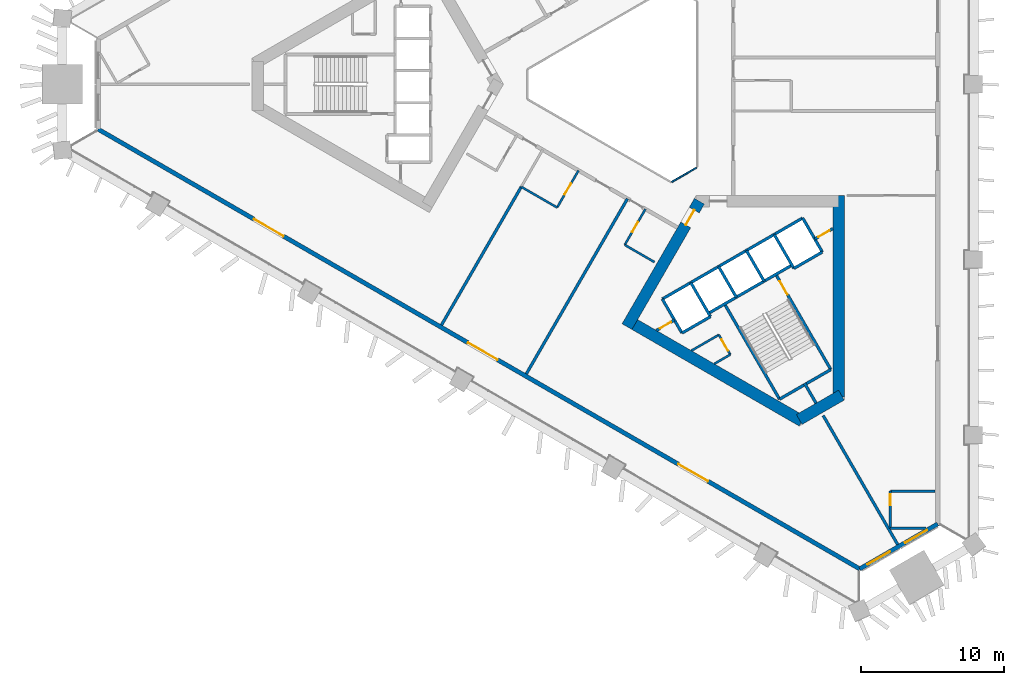
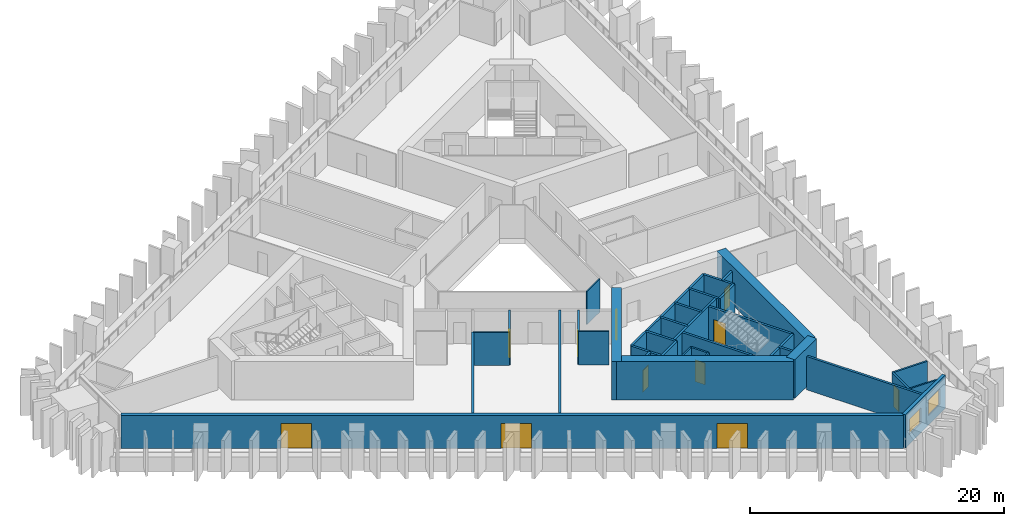
# One storey, part 2 of 10: 36 walls, 11 doors, 2 windows, 13 openings.
"""IFC4 building model written with IfcOpenShell, lengths in metres."""

from ifc_helpers import new_model, si_unit, direction, frame, frame_2d, origin, place, context, subcontext, project, spatial, rectangle, extrude, material, layer, layer_set, type_object, element, fill, save


model = new_model("IFC4")

# Units and contexts
model_context = context("Model", 3, precision=1e-05, world=origin(), true_north=direction((0.0, 1.0)))
body_context = subcontext(model_context, "Body", "Model", "MODEL_VIEW")
ifc_project = project(units=[si_unit("LENGTHUNIT", "METRE"), si_unit("AREAUNIT", "SQUARE_METRE"), si_unit("VOLUMEUNIT", "CUBIC_METRE"), si_unit("PLANEANGLEUNIT", "RADIAN"), si_unit("MASSUNIT", "GRAM", prefix="KILO")], contexts=[model_context])

# Site, building, storey
site_placement = place(None, origin())
site = spatial("IfcSite", under=ifc_project, at=site_placement, CompositionType="ELEMENT")
building_placement = place(site_placement, origin())
building = spatial("IfcBuilding", under=site, at=building_placement, Name="Jabali Bay Hotel Tower and Convention Centre", CompositionType="ELEMENT")
storey_placement = place(building_placement, frame((0.0, 0.0, 33.699951171875)))
storey = spatial("IfcBuildingStorey", under=building, at=storey_placement, Name="L06", CompositionType="ELEMENT", Elevation=33.699951171875)

# Walls
ifc_material_1 = material(Name="Fire-resistant glazing", Category="glass")
ifc_layer_1 = layer(ifc_material_1, 0.10009765625)
ifc_layer_set_1 = layer_set([ifc_layer_1], Name="Fire-resistant glazing")
wall_type_1 = type_object("IfcWallType", Name="Atrium glazed screen 100", PredefinedType="PARTITIONING", material=ifc_layer_set_1)
wall_1_placement = place(storey_placement, frame((77.7978515625, 73.15380859375, 0.0), z_axis=(0.0, 0.0, 1.0), x_axis=(0.866041268327, 0.499972520799, 0.0)))
element("IfcWall", 1, at=wall_1_placement, inside=storey, type_object=wall_type_1, Name="Atrium screen 6 L06", PredefinedType="PARTITIONING", context=body_context, shape_type="SweptSolid", body=[
    extrude(rectangle(XDim=2.0, YDim=0.10009765625, at=frame_2d((1.0, 0.0))), origin(), (0.0, 0.0, 1.0), 3.199951171875),
])
ifc_material_2 = material(Name="Concrete C40", Category="concrete")
ifc_layer_2 = layer(ifc_material_2, 0.199951171875)
ifc_layer_set_2 = layer_set([ifc_layer_2], Name="Concrete C40")
wall_type_2 = type_object("IfcWallType", Name="Core partition wall 200", PredefinedType="PARTITIONING", material=ifc_layer_set_2)
wall_2_placement = place(storey_placement, frame((87.090087890625, 59.0595703125, 0.0), z_axis=(0.0, 0.0, 1.0), x_axis=(0.499956811548, -0.866050337213, 0.0)))
element("IfcWall", 2, at=wall_2_placement, inside=storey, type_object=wall_type_2, Name="Core wall 2.5 L06", PredefinedType="PARTITIONING", context=body_context, shape_type="SweptSolid", body=[
    extrude(rectangle(XDim=1.623291015625, YDim=0.199951171875, at=frame_2d((0.8115234375, 0.0))), origin(), (0.0, 0.0, 1.0), 3.199951171875),
])

# Wall, opening, door
wall_3_placement = place(storey_placement, frame((76.719970703125, 62.748779296875, 0.0), z_axis=(0.0, 0.0, 1.0), x_axis=(0.866054810376, 0.49994906283, 0.0)))
wall_3 = element("IfcWall", 3, at=wall_3_placement, inside=storey, type_object=wall_type_2, Name="Core wall 2.11 L06", PredefinedType="PARTITIONING", context=body_context, shape_type="SweptSolid", body=[
    extrude(rectangle(XDim=1.461181640625, YDim=0.199951171875, at=frame_2d((0.73046875, 0.0))), origin(), (0.0, 0.0, 1.0), 3.199951171875),
])
opening_1_placement = place(wall_3_placement, frame((0.280517578125, 0.0, 0.0)))
opening_1 = element("IfcOpeningElement", 4, at=opening_1_placement, cuts=wall_3, Name="Opening D231", PredefinedType="OPENING", context=body_context, shape_type="SweptSolid", body=[
    extrude(rectangle(XDim=0.89990234375, YDim=2.10009765625, at=frame_2d((0.449951171875, 1.050048828125))), frame((0.0, 0.1103515625, 0.0), z_axis=(0.0, -1.0, 0.0), x_axis=(1.0, 0.0, 0.0)), (0.0, 0.0, 1.0), 0.220947265625),
])
ifc_material_3 = material(Name="Fire-rated steel door", Category="steel")
door_type_1 = type_object("IfcDoorType", Name="Vestibule fire door 900 x 2100", OperationType="NOTDEFINED", PredefinedType="NOTDEFINED", material=ifc_material_3)
door_1_placement = place(opening_1_placement, origin())
door_1 = element("IfcDoor", 5, at=door_1_placement, inside=storey, type_object=door_type_1, Name="Vestibule fire door D231", OperationType="SINGLE_SWING_LEFT", OverallHeight=2.10009765625, OverallWidth=0.89990234375, PredefinedType="NOTDEFINED", context=body_context, shape_type="SweptSolid", body=[
    extrude(rectangle(XDim=0.89990234375, YDim=2.10009765625, at=frame_2d((0.449951171875, 1.050048828125))), frame((0.0, 0.02490234375, 0.0), z_axis=(0.0, -1.0, 0.0), x_axis=(1.0, 0.0, 0.0)), (0.0, 0.0, 1.0), 0.050048828125),
])
fill(opening_1, door_1)

wall_4_placement = place(storey_placement, frame((87.814697265625, 69.154296875, 0.0), z_axis=(0.0, 0.0, 1.0), x_axis=(0.866054810376, 0.49994906283, 0.0)))
wall_4 = element("IfcWall", 6, at=wall_4_placement, inside=storey, type_object=wall_type_2, Name="Core wall 2.12 L06", PredefinedType="PARTITIONING", context=body_context, shape_type="SweptSolid", body=[
    extrude(rectangle(XDim=1.461181640625, YDim=0.199951171875, at=frame_2d((0.73046875, 0.0))), origin(), (0.0, 0.0, 1.0), 3.199951171875),
])
opening_2_placement = place(wall_4_placement, frame((0.280517578125, 0.0, 0.0)))
opening_2 = element("IfcOpeningElement", 7, at=opening_2_placement, cuts=wall_4, Name="Opening D230", PredefinedType="OPENING", context=body_context, shape_type="SweptSolid", body=[
    extrude(rectangle(XDim=0.89990234375, YDim=2.10009765625, at=frame_2d((0.449951171875, 1.050048828125))), frame((0.0, 0.1103515625, 0.0), z_axis=(0.0, -1.0, 0.0), x_axis=(1.0, 0.0, 0.0)), (0.0, 0.0, 1.0), 0.220947265625),
])
door_2_placement = place(opening_2_placement, origin())
door_2 = element("IfcDoor", 8, at=door_2_placement, inside=storey, type_object=door_type_1, Name="Vestibule fire door D230", OperationType="SINGLE_SWING_LEFT", OverallHeight=2.10009765625, OverallWidth=0.89990234375, PredefinedType="NOTDEFINED", context=body_context, shape_type="SweptSolid", body=[
    extrude(rectangle(XDim=0.89990234375, YDim=2.10009765625, at=frame_2d((0.449951171875, 1.050048828125))), frame((0.0, 0.02490234375, 0.0), z_axis=(0.0, -1.0, 0.0), x_axis=(1.0, 0.0, 0.0)), (0.0, 0.0, 1.0), 0.050048828125),
])
fill(opening_2, door_2)

ifc_material_4 = material(Name="Fire-rated board partition")
ifc_layer_3 = layer(ifc_material_4, 0.14990234375)
ifc_layer_set_3 = layer_set([ifc_layer_3], Name="Fire-rated board partition")
wall_type_3 = type_object("IfcWallType", Name="Core room partition 150", PredefinedType="PARTITIONING", material=ifc_layer_set_3)
wall_5_placement = place(storey_placement, frame((81.093994140625, 62.445068359375, 0.0), z_axis=(0.0, 0.0, 1.0), x_axis=(0.499880961361, -0.866094119867, 0.0)))
wall_5 = element("IfcWall", 9, at=wall_5_placement, inside=storey, type_object=wall_type_3, Name="Core wall 2.1 L06", PredefinedType="PARTITIONING", context=body_context, shape_type="SweptSolid", body=[
    extrude(rectangle(XDim=1.60009765625, YDim=0.14990234375, at=frame_2d((0.800048828125, 0.0))), origin(), (0.0, 0.0, 1.0), 3.199951171875),
])
opening_3_placement = place(wall_5_placement, frame((0.387451171875, 0.0, 0.0)))
opening_3 = element("IfcOpeningElement", 10, at=opening_3_placement, cuts=wall_5, Name="Opening D233", PredefinedType="OPENING", context=body_context, shape_type="SweptSolid", body=[
    extrude(rectangle(XDim=0.89990234375, YDim=2.10009765625, at=frame_2d((0.449951171875, 1.050048828125))), frame((0.0, 0.08544921875, 0.0), z_axis=(0.0, -1.0, 0.0), x_axis=(1.0, 0.0, 0.0)), (0.0, 0.0, 1.0), 0.1708984375),
])
door_type_2 = type_object("IfcDoorType", Name="Core room door 900 x 2100", OperationType="NOTDEFINED", PredefinedType="NOTDEFINED", material=ifc_material_3)
door_3_placement = place(opening_3_placement, origin())
door_3 = element("IfcDoor", 11, at=door_3_placement, inside=storey, type_object=door_type_2, Name="Core room door D233", OperationType="SINGLE_SWING_LEFT", OverallHeight=2.10009765625, OverallWidth=0.89990234375, PredefinedType="NOTDEFINED", context=body_context, shape_type="SweptSolid", body=[
    extrude(rectangle(XDim=0.89990234375, YDim=2.10009765625, at=frame_2d((0.449951171875, 1.050048828125))), frame((0.0, 0.02490234375, 0.0), z_axis=(0.0, -1.0, 0.0), x_axis=(1.0, 0.0, 0.0)), (0.0, 0.0, 1.0), 0.050048828125),
])
fill(opening_3, door_3)

# Walls
wall_6_placement = place(storey_placement, frame((79.169921875, 61.334228515625, 0.0), z_axis=(0.0, 0.0, 1.0), x_axis=(0.866030041738, 0.499991966744, 0.0)))
element("IfcWall", 12, at=wall_6_placement, inside=storey, type_object=wall_type_3, Name="Core wall 2.16 L06", PredefinedType="PARTITIONING", context=body_context, shape_type="SweptSolid", body=[
    extrude(rectangle(XDim=2.2216796875, YDim=0.14990234375, at=frame_2d((1.11083984375, 0.0))), origin(), (0.0, 0.0, 1.0), 3.199951171875),
])
wall_7_placement = place(storey_placement, frame((80.77001953125, 60.410400390625, 0.0), z_axis=(0.0, 0.0, 1.0), x_axis=(0.865988195383, 0.500064441305, 0.0)))
element("IfcWall", 13, at=wall_7_placement, inside=storey, type_object=wall_type_3, Name="Core wall 2.17 L06", PredefinedType="PARTITIONING", context=body_context, shape_type="SweptSolid", body=[
    extrude(rectangle(XDim=1.297607421875, YDim=0.14990234375, at=frame_2d((0.64892578125, 0.0))), origin(), (0.0, 0.0, 1.0), 3.199951171875),
])
ifc_layer_4 = layer(ifc_material_2, 0.199951171875)
ifc_layer_set_4 = layer_set([ifc_layer_4], Name="Concrete C40")
wall_type_4 = type_object("IfcWallType", Name="Core stair wall 200", PredefinedType="SOLIDWALL", material=ifc_layer_set_4)
for number, where, z_axis, x_axis, name in (
    (14, (77.13525390625, 64.95166015625, 0.0), (0.0, 0.0, 1.0), (0.499996545922, -0.866027397988, 0.0), "Core wall 2.0 L06"),
    (15, (79.127197265625, 66.1015625, 0.0), (0.0, 0.0, 1.0), (0.499996545922, -0.866027397988, 0.0), "Core wall 2.2 L06"),
):
    element("IfcWall", number, at=place(storey_placement, frame(where, z_axis=z_axis, x_axis=x_axis)), inside=storey, type_object=wall_type_4, Name=name, PredefinedType="SOLIDWALL", context=body_context, shape_type="SweptSolid", body=[
        extrude(rectangle(XDim=2.75, YDim=0.199951171875, at=frame_2d((1.375, 0.0))), origin(), (0.0, 0.0, 1.0), 3.199951171875),
    ])
wall_8_placement = place(storey_placement, frame((81.492919921875, 64.603759765625, 0.0), z_axis=(0.0, 0.0, 1.0), x_axis=(0.500006057782, -0.866021906294, 0.0)))
element("IfcWall", 16, at=wall_8_placement, inside=storey, type_object=wall_type_4, Name="Core wall 2.3 L06", PredefinedType="SOLIDWALL", context=body_context, shape_type="SweptSolid", body=[
    extrude(rectangle(XDim=7.7001953125, YDim=0.199951171875, at=frame_2d((3.85009765625, 0.0))), origin(), (0.0, 0.0, 1.0), 3.199951171875),
])
for number, where, z_axis, x_axis, name in (
    (17, (81.07568359375, 67.2265625, 0.0), (0.0, 0.0, 1.0), (0.50000366821, -0.866023285932, 0.0), "Core wall 2.4 L06"),
    (18, (83.024169921875, 68.3515625, 0.0), (0.0, 0.0, 1.0), (0.50000366821, -0.866023285932, 0.0), "Core wall 2.6 L06"),
):
    element("IfcWall", number, at=place(storey_placement, frame(where, z_axis=z_axis, x_axis=x_axis)), inside=storey, type_object=wall_type_4, Name=name, PredefinedType="SOLIDWALL", context=body_context, shape_type="SweptSolid", body=[
        extrude(rectangle(XDim=2.47998046875, YDim=0.199951171875, at=frame_2d((1.239990234375, 0.0))), origin(), (0.0, 0.0, 1.0), 3.199951171875),
    ])

# Wall, opening, door
wall_9_placement = place(storey_placement, frame((85.0869140625, 66.6787109375, 0.0), z_axis=(0.0, 0.0, 1.0), x_axis=(0.500019787375, -0.866013979237, 0.0)))
wall_9 = element("IfcWall", 19, at=wall_9_placement, inside=storey, type_object=wall_type_4, Name="Core wall 2.7 L06", PredefinedType="SOLIDWALL", context=body_context, shape_type="SweptSolid", body=[
    extrude(rectangle(XDim=7.699951171875, YDim=0.199951171875, at=frame_2d((3.85009765625, 0.0))), origin(), (0.0, 0.0, 1.0), 3.199951171875),
])
opening_4_placement = place(wall_9_placement, frame((0.550048828125, 0.0, 0.0)))
opening_4 = element("IfcOpeningElement", 20, at=opening_4_placement, cuts=wall_9, Name="Opening D232", PredefinedType="OPENING", context=body_context, shape_type="SweptSolid", body=[
    extrude(rectangle(XDim=1.10009765625, YDim=2.10009765625, at=frame_2d((0.550048828125, 1.050048828125))), frame((0.0, 0.1103515625, 0.0), z_axis=(0.0, -1.0, 0.0), x_axis=(1.0, 0.0, 0.0)), (0.0, 0.0, 1.0), 0.220947265625),
])
door_type_3 = type_object("IfcDoorType", Name="Stair fire door 1100 x 2100", OperationType="NOTDEFINED", PredefinedType="NOTDEFINED", material=ifc_material_3)
door_4_placement = place(opening_4_placement, origin())
door_4 = element("IfcDoor", 21, at=door_4_placement, inside=storey, type_object=door_type_3, Name="Stair fire door D232", OperationType="SINGLE_SWING_RIGHT", OverallHeight=2.10009765625, OverallWidth=1.10009765625, PredefinedType="NOTDEFINED", context=body_context, shape_type="SweptSolid", body=[
    extrude(rectangle(XDim=1.10009765625, YDim=2.10009765625, at=frame_2d((0.550048828125, 1.050048828125))), frame((0.0, 0.02490234375, 0.0), z_axis=(0.0, -1.0, 0.0), x_axis=(1.0, 0.0, 0.0)), (0.0, 0.0, 1.0), 0.050048828125),
])
fill(opening_4, door_4)

# Walls
for number, where, z_axis, x_axis, name in (
    (22, (84.972900390625, 69.4765625, 0.0), (0.0, 0.0, 1.0), (0.499996545922, -0.866027397988, 0.0), "Core wall 2.8 L06"),
    (23, (86.964599609375, 70.62646484375, 0.0), (0.0, 0.0, 1.0), (0.499996545922, -0.866027397988, 0.0), "Core wall 2.9 L06"),
):
    element("IfcWall", number, at=place(storey_placement, frame(where, z_axis=z_axis, x_axis=x_axis)), inside=storey, type_object=wall_type_4, Name=name, PredefinedType="SOLIDWALL", context=body_context, shape_type="SweptSolid", body=[
        extrude(rectangle(XDim=2.75, YDim=0.199951171875, at=frame_2d((1.375, 0.0))), origin(), (0.0, 0.0, 1.0), 3.199951171875),
    ])
wall_10_placement = place(storey_placement, frame((77.13525390625, 64.95166015625, 0.0), z_axis=(0.0, 0.0, 1.0), x_axis=(0.866031916153, 0.499988720078, 0.0)))
element("IfcWall", 24, at=wall_10_placement, inside=storey, type_object=wall_type_4, Name="Core wall 2.10 L06", PredefinedType="SOLIDWALL", context=body_context, shape_type="SweptSolid", body=[
    extrude(rectangle(XDim=11.349853515625, YDim=0.199951171875, at=frame_2d((5.6748046875, 0.0))), origin(), (0.0, 0.0, 1.0), 3.199951171875),
])
wall_11_placement = place(storey_placement, frame((80.3671875, 63.953857421875, 0.0), z_axis=(0.0, 0.0, 1.0), x_axis=(0.866026575979, 0.499997969693, 0.0)))
element("IfcWall", 25, at=wall_11_placement, inside=storey, type_object=wall_type_4, Name="Core wall 2.13 L06", PredefinedType="SOLIDWALL", context=body_context, shape_type="SweptSolid", body=[
    extrude(rectangle(XDim=6.75, YDim=0.199951171875, at=frame_2d((3.375, 0.0))), origin(), (0.0, 0.0, 1.0), 3.199951171875),
])
wall_12_placement = place(storey_placement, frame((78.51025390625, 62.570068359375, 0.0), z_axis=(0.0, 0.0, 1.0), x_axis=(0.866053019151, 0.499952165731, 0.0)))
element("IfcWall", 26, at=wall_12_placement, inside=storey, type_object=wall_type_4, Name="Core wall 2.14 L06", PredefinedType="SOLIDWALL", context=body_context, shape_type="SweptSolid", body=[
    extrude(rectangle(XDim=2.300048828125, YDim=0.199951171875, at=frame_2d((1.14990234375, 0.0))), origin(), (0.0, 0.0, 1.0), 3.199951171875),
])
wall_13_placement = place(storey_placement, frame((86.347900390625, 67.094970703125, 0.0), z_axis=(0.0, 0.0, 1.0), x_axis=(0.86602648383, 0.499998129301, 0.0)))
element("IfcWall", 27, at=wall_13_placement, inside=storey, type_object=wall_type_4, Name="Core wall 2.15 L06", PredefinedType="SOLIDWALL", context=body_context, shape_type="SweptSolid", body=[
    extrude(rectangle(XDim=2.2998046875, YDim=0.199951171875, at=frame_2d((1.14990234375, 0.0))), origin(), (0.0, 0.0, 1.0), 3.199951171875),
])
wall_14_placement = place(storey_placement, frame((85.343017578125, 57.935302734375, 0.0), z_axis=(0.0, 0.0, 1.0), x_axis=(0.866004344652, 0.500036473714, 0.0)))
element("IfcWall", 28, at=wall_14_placement, inside=storey, type_object=wall_type_4, Name="Core wall 2.18 L06", PredefinedType="SOLIDWALL", context=body_context, shape_type="SweptSolid", body=[
    extrude(rectangle(XDim=4.150146484375, YDim=0.199951171875, at=frame_2d((2.0751953125, 0.0))), origin(), (0.0, 0.0, 1.0), 3.199951171875),
])

# Wall, opening, door
ifc_material_5 = material(Name="Concrete C60", Category="concrete")
ifc_layer_5 = layer(ifc_material_5, 0.800048828125)
ifc_layer_set_5 = layer_set([ifc_layer_5], Name="Concrete C60")
wall_type_5 = type_object("IfcWallType", Name="Core wall 800", PredefinedType="SHEAR", material=ifc_layer_set_5)
wall_15_placement = place(storey_placement, frame((79.73095703125, 71.8056640625, 0.0), z_axis=(0.0, 0.0, 1.0), x_axis=(-0.49999662545, -0.866027352073, 0.0)))
wall_15 = element("IfcWall", 29, at=wall_15_placement, inside=storey, type_object=wall_type_5, Name="Core wall 3.1 L06", PredefinedType="SHEAR", context=body_context, shape_type="SweptSolid", body=[
    extrude(rectangle(XDim=10.14892578125, YDim=0.800048828125, at=frame_2d((5.074462890625, 0.0))), origin(), (0.0, 0.0, 1.0), 3.699951171875),
])
opening_5_placement = place(wall_15_placement, frame((0.718994140625, 0.0, 0.0)))
opening_5 = element("IfcOpeningElement", 30, at=opening_5_placement, cuts=wall_15, Name="Opening D228", PredefinedType="OPENING", context=body_context, shape_type="SweptSolid", body=[
    extrude(rectangle(XDim=1.199951171875, YDim=2.10009765625, at=frame_2d((0.60009765625, 1.050048828125))), frame((0.0, 0.41064453125, 0.0), z_axis=(0.0, -1.0, 0.0), x_axis=(1.0, 0.0, 0.0)), (0.0, 0.0, 1.0), 0.821044921875),
])
door_type_4 = type_object("IfcDoorType", Name="Corridor end fire door 1200 x 2100", OperationType="NOTDEFINED", PredefinedType="NOTDEFINED", material=ifc_material_3)
door_5_placement = place(opening_5_placement, origin())
door_5 = element("IfcDoor", 31, at=door_5_placement, inside=storey, type_object=door_type_4, Name="Corridor end fire door D228", OperationType="SINGLE_SWING_RIGHT", OverallHeight=2.10009765625, OverallWidth=1.199951171875, PredefinedType="NOTDEFINED", context=body_context, shape_type="SweptSolid", body=[
    extrude(rectangle(XDim=1.199951171875, YDim=2.10009765625, at=frame_2d((0.60009765625, 1.050048828125))), frame((0.0, 0.02490234375, 0.0), z_axis=(0.0, -1.0, 0.0), x_axis=(1.0, 0.0, 0.0)), (0.0, 0.0, 1.0), 0.050048828125),
])
fill(opening_5, door_5)

# Walls
wall_16_placement = place(storey_placement, frame((74.8564453125, 63.36279296875, 0.0), z_axis=(0.0, 0.0, 1.0), x_axis=(0.866029478545, -0.499992942241, 0.0)))
element("IfcWall", 32, at=wall_16_placement, inside=storey, type_object=wall_type_5, Name="Core wall 3.2 L06", PredefinedType="SHEAR", context=body_context, shape_type="SweptSolid", body=[
    extrude(rectangle(XDim=13.933349609375, YDim=0.800048828125, at=frame_2d((6.966796875, 0.0))), origin(), (0.0, 0.0, 1.0), 3.699951171875),
])
wall_17_placement = place(storey_placement, frame((86.72314453125, 56.51171875, 0.0), z_axis=(0.0, 0.0, 1.0), x_axis=(0.866034355626, 0.499984494636, 0.0)))
element("IfcWall", 33, at=wall_17_placement, inside=storey, type_object=wall_type_5, Name="Core wall 3.3 L06", PredefinedType="SHEAR", context=body_context, shape_type="SweptSolid", body=[
    extrude(rectangle(XDim=3.4140625, YDim=0.800048828125, at=frame_2d((1.70703125, 0.0))), origin(), (0.0, 0.0, 1.0), 3.699951171875),
])
wall_18_placement = place(storey_placement, frame((89.47998046875, 58.103271484375, 0.0), z_axis=(0.0, 0.0, 1.0), x_axis=(0.0, 1.0, 0.0)))
element("IfcWall", 34, at=wall_18_placement, inside=storey, type_object=wall_type_5, Name="Core wall 3.4 L06", PredefinedType="SHEAR", context=body_context, shape_type="SweptSolid", body=[
    extrude(rectangle(XDim=14.1025390625, YDim=0.800048828125, at=frame_2d((7.05126953125, 0.0))), origin(), (0.0, 0.0, 1.0), 3.699951171875),
])

# Wall, openings, windows
ifc_layer_6 = layer(ifc_material_2, 0.300048828125)
ifc_layer_set_6 = layer_set([ifc_layer_6], Name="Concrete C40")
wall_type_6 = type_object("IfcWallType", Name="External wall 300", PredefinedType="SOLIDWALL", material=ifc_layer_set_6)
wall_19_placement = place(storey_placement, frame((96.42529296875, 49.195068359375, 0.0), z_axis=(0.0, 0.0, 1.0), x_axis=(-0.866032760736, -0.49998725717, 0.0)))
wall_19 = element("IfcWall", 35, at=wall_19_placement, inside=storey, type_object=wall_type_6, Name="External wall south-east chamfer L06", PredefinedType="SOLIDWALL", context=body_context, shape_type="SweptSolid", body=[
    extrude(rectangle(XDim=6.304931640625, YDim=0.300048828125, at=frame_2d((3.15234375, 0.0))), origin(), (0.0, 0.0, 1.0), 3.199951171875),
])
opening_6_placement = place(wall_19_placement, frame((0.851806640625, 0.0, 0.89990234375)))
opening_6 = element("IfcOpeningElement", 36, at=opening_6_placement, cuts=wall_19, Name="Opening W1", PredefinedType="OPENING", context=body_context, shape_type="SweptSolid", body=[
    extrude(rectangle(XDim=1.800048828125, YDim=1.5, at=frame_2d((0.89990234375, 0.75))), frame((0.0, 0.16064453125, 0.0), z_axis=(0.0, -1.0, 0.0), x_axis=(1.0, 0.0, 0.0)), (0.0, 0.0, 1.0), 0.321044921875),
])
opening_7_placement = place(wall_19_placement, frame((3.871337890625, 0.0, 0.89990234375)))
opening_7 = element("IfcOpeningElement", 37, at=opening_7_placement, cuts=wall_19, Name="Opening W1", PredefinedType="OPENING", context=body_context, shape_type="SweptSolid", body=[
    extrude(rectangle(XDim=1.800048828125, YDim=1.5, at=frame_2d((0.89990234375, 0.75))), frame((0.0, 0.16064453125, 0.0), z_axis=(0.0, -1.0, 0.0), x_axis=(1.0, 0.0, 0.0)), (0.0, 0.0, 1.0), 0.321044921875),
])
ifc_material_6 = material(Name="Glass", Category="glass")
window_type = type_object("IfcWindowType", Name="Window 1800 x 1500", PartitioningType="SINGLE_PANEL", PredefinedType="WINDOW", material=ifc_material_6)
window_1_placement = place(opening_6_placement, origin())
window_1 = element("IfcWindow", 38, at=window_1_placement, inside=storey, type_object=window_type, Name="Window 601", OverallHeight=1.5, OverallWidth=1.800048828125, PartitioningType="SINGLE_PANEL", PredefinedType="WINDOW", context=body_context, shape_type="SweptSolid", body=[
    extrude(rectangle(XDim=1.800048828125, YDim=1.5, at=frame_2d((0.89990234375, 0.75))), frame((0.0, 0.030029296875, 0.0), z_axis=(0.0, -1.0, 0.0), x_axis=(1.0, 0.0, 0.0)), (0.0, 0.0, 1.0), 0.06005859375),
])
fill(opening_6, window_1)
window_2_placement = place(opening_7_placement, origin())
window_2 = element("IfcWindow", 39, at=window_2_placement, inside=storey, type_object=window_type, Name="Window 609", OverallHeight=1.5, OverallWidth=1.800048828125, PartitioningType="SINGLE_PANEL", PredefinedType="WINDOW", context=body_context, shape_type="SweptSolid", body=[
    extrude(rectangle(XDim=1.800048828125, YDim=1.5, at=frame_2d((0.89990234375, 0.75))), frame((0.0, 0.030029296875, 0.0), z_axis=(0.0, -1.0, 0.0), x_axis=(1.0, 0.0, 0.0)), (0.0, 0.0, 1.0), 0.06005859375),
])
fill(opening_7, window_2)

# Wall, openings, doors
wall_20_placement = place(storey_placement, frame((90.965087890625, 46.042724609375, 0.0), z_axis=(0.0, 0.0, 1.0), x_axis=(-0.866024438126, 0.500001672566, 0.0)))
wall_20 = element("IfcWall", 40, at=wall_20_placement, inside=storey, type_object=wall_type_6, Name="External wall south-west face L06", PredefinedType="SOLIDWALL", context=body_context, shape_type="SweptSolid", body=[
    extrude(rectangle(XDim=61.609619140625, YDim=0.300048828125, at=frame_2d((30.8046875, 0.0))), origin(), (0.0, 0.0, 1.0), 3.199951171875),
])
opening_8_placement = place(wall_20_placement, frame((29.293212890625, 0.0, 0.0)))
opening_8 = element("IfcOpeningElement", 41, at=opening_8_placement, cuts=wall_20, Name="Opening SD1", PredefinedType="OPENING", context=body_context, shape_type="SweptSolid", body=[
    extrude(rectangle(XDim=2.39990234375, YDim=2.39990234375, at=frame_2d((1.199951171875, 1.199951171875))), frame((0.0, 0.16064453125, 0.0), z_axis=(0.0, -1.0, 0.0), x_axis=(1.0, 0.0, 0.0)), (0.0, 0.0, 1.0), 0.321044921875),
])
opening_9_placement = place(wall_20_placement, frame((46.609619140625, 0.0, 0.0)))
opening_9 = element("IfcOpeningElement", 42, at=opening_9_placement, cuts=wall_20, Name="Opening SD1", PredefinedType="OPENING", context=body_context, shape_type="SweptSolid", body=[
    extrude(rectangle(XDim=2.39990234375, YDim=2.39990234375, at=frame_2d((1.199951171875, 1.199951171875))), frame((0.0, 0.16064453125, 0.0), z_axis=(0.0, -1.0, 0.0), x_axis=(1.0, 0.0, 0.0)), (0.0, 0.0, 1.0), 0.321044921875),
])
opening_10_placement = place(wall_20_placement, frame((12.28857421875, 0.0, 0.0)))
opening_10 = element("IfcOpeningElement", 43, at=opening_10_placement, cuts=wall_20, Name="Opening SD1", PredefinedType="OPENING", context=body_context, shape_type="SweptSolid", body=[
    extrude(rectangle(XDim=2.39990234375, YDim=2.39990234375, at=frame_2d((1.199951171875, 1.199951171875))), frame((0.0, 0.16064453125, 0.0), z_axis=(0.0, -1.0, 0.0), x_axis=(1.0, 0.0, 0.0)), (0.0, 0.0, 1.0), 0.321044921875),
])
door_type_5 = type_object("IfcDoorType", Name="Loggia sliding door 2400 x 2400", OperationType="NOTDEFINED", PredefinedType="NOTDEFINED", material=ifc_material_6)
door_6_placement = place(opening_8_placement, origin())
door_6 = element("IfcDoor", 44, at=door_6_placement, inside=storey, type_object=door_type_5, Name="Loggia sliding door 608", OperationType="SLIDING_TO_LEFT", OverallHeight=2.39990234375, OverallWidth=2.39990234375, PredefinedType="NOTDEFINED", context=body_context, shape_type="SweptSolid", body=[
    extrude(rectangle(XDim=2.39990234375, YDim=2.39990234375, at=frame_2d((1.199951171875, 1.199951171875))), frame((0.0, 0.02490234375, 0.0), z_axis=(0.0, -1.0, 0.0), x_axis=(1.0, 0.0, 0.0)), (0.0, 0.0, 1.0), 0.050048828125),
])
fill(opening_8, door_6)
door_7_placement = place(opening_9_placement, origin())
door_7 = element("IfcDoor", 45, at=door_7_placement, inside=storey, type_object=door_type_5, Name="Loggia sliding door 607", OperationType="SLIDING_TO_RIGHT", OverallHeight=2.39990234375, OverallWidth=2.39990234375, PredefinedType="NOTDEFINED", context=body_context, shape_type="SweptSolid", body=[
    extrude(rectangle(XDim=2.39990234375, YDim=2.39990234375, at=frame_2d((1.199951171875, 1.199951171875))), frame((0.0, 0.02490234375, 0.0), z_axis=(0.0, -1.0, 0.0), x_axis=(1.0, 0.0, 0.0)), (0.0, 0.0, 1.0), 0.050048828125),
])
fill(opening_9, door_7)
door_8_placement = place(opening_10_placement, origin())
door_8 = element("IfcDoor", 46, at=door_8_placement, inside=storey, type_object=door_type_5, Name="Loggia sliding door 609", OperationType="SLIDING_TO_LEFT", OverallHeight=2.39990234375, OverallWidth=2.39990234375, PredefinedType="NOTDEFINED", context=body_context, shape_type="SweptSolid", body=[
    extrude(rectangle(XDim=2.39990234375, YDim=2.39990234375, at=frame_2d((1.199951171875, 1.199951171875))), frame((0.0, 0.02490234375, 0.0), z_axis=(0.0, -1.0, 0.0), x_axis=(1.0, 0.0, 0.0)), (0.0, 0.0, 1.0), 0.050048828125),
])
fill(opening_10, door_8)

# Wall
ifc_material_7 = material(Name="Plasterboard on steel stud", Category="steel")
ifc_layer_7 = layer(ifc_material_7, 0.14990234375)
ifc_layer_set_7 = layer_set([ifc_layer_7], Name="Plasterboard on steel stud")
wall_type_7 = type_object("IfcWallType", Name="Partition 150 wet", PredefinedType="PARTITIONING", material=ifc_layer_set_7)
wall_21_placement = place(storey_placement, frame((95.59716796875, 48.888916015625, 0.0), z_axis=(0.0, 0.0, 1.0), x_axis=(-1.0, 0.0, 0.0)))
element("IfcWall", 47, at=wall_21_placement, inside=storey, type_object=wall_type_7, Name="Partition P03 L06 004", PredefinedType="PARTITIONING", context=body_context, shape_type="SweptSolid", body=[
    extrude(rectangle(XDim=2.49560546875, YDim=0.14990234375, at=frame_2d((1.247802734375, 0.0))), origin(), (0.0, 0.0, 1.0), 3.199951171875),
])

# Wall, opening, door
wall_22_placement = place(storey_placement, frame((93.1015625, 48.888916015625, 0.0), z_axis=(0.0, 0.0, 1.0), x_axis=(0.0, 1.0, 0.0)))
wall_22 = element("IfcWall", 48, at=wall_22_placement, inside=storey, type_object=wall_type_7, Name="Partition P03 L06 005", PredefinedType="PARTITIONING", context=body_context, shape_type="SweptSolid", body=[
    extrude(rectangle(XDim=2.60009765625, YDim=0.14990234375, at=frame_2d((1.300048828125, 0.0))), origin(), (0.0, 0.0, 1.0), 3.199951171875),
])
opening_11_placement = place(wall_22_placement, frame((1.60009765625, 0.0, 0.0)))
opening_11 = element("IfcOpeningElement", 49, at=opening_11_placement, cuts=wall_22, Name="Opening 0603", PredefinedType="OPENING", context=body_context, shape_type="SweptSolid", body=[
    extrude(rectangle(XDim=0.800048828125, YDim=2.10009765625, at=frame_2d((0.39990234375, 1.050048828125))), frame((0.0, 0.08544921875, 0.0), z_axis=(0.0, -1.0, 0.0), x_axis=(1.0, 0.0, 0.0)), (0.0, 0.0, 1.0), 0.1708984375),
])
ifc_material_8 = material(Name="Timber", Category="wood")
door_type_6 = type_object("IfcDoorType", Name="En-suite door 800 x 2100", OperationType="NOTDEFINED", PredefinedType="NOTDEFINED", material=ifc_material_8)
door_9_placement = place(opening_11_placement, origin())
door_9 = element("IfcDoor", 50, at=door_9_placement, inside=storey, type_object=door_type_6, Name="Door 0603", OperationType="SINGLE_SWING_RIGHT", OverallHeight=2.10009765625, OverallWidth=0.800048828125, PredefinedType="NOTDEFINED", context=body_context, shape_type="SweptSolid", body=[
    extrude(rectangle(XDim=0.800048828125, YDim=2.10009765625, at=frame_2d((0.39990234375, 1.050048828125))), frame((0.0, 0.02490234375, 0.0), z_axis=(0.0, -1.0, 0.0), x_axis=(1.0, 0.0, 0.0)), (0.0, 0.0, 1.0), 0.050048828125),
])
fill(opening_11, door_9)

# Wall
wall_23_placement = place(storey_placement, frame((93.1015625, 51.489013671875, 0.0), z_axis=(0.0, 0.0, 1.0), x_axis=(1.0, 0.0, 0.0)))
element("IfcWall", 51, at=wall_23_placement, inside=storey, type_object=wall_type_7, Name="Partition P03 L06 006", PredefinedType="PARTITIONING", context=body_context, shape_type="SweptSolid", body=[
    extrude(rectangle(XDim=3.1337890625, YDim=0.14990234375, at=frame_2d((1.56689453125, 0.0))), origin(), (0.0, 0.0, 1.0), 3.199951171875),
])

# Wall, opening, door
wall_24_placement = place(storey_placement, frame((71.261474609375, 73.9599609375, 0.0), z_axis=(0.0, 0.0, 1.0), x_axis=(-0.50002537861, -0.866010750942, 0.0)))
wall_24 = element("IfcWall", 52, at=wall_24_placement, inside=storey, type_object=wall_type_7, Name="Partition P03 L06 033", PredefinedType="PARTITIONING", context=body_context, shape_type="SweptSolid", body=[
    extrude(rectangle(XDim=2.999755859375, YDim=0.14990234375, at=frame_2d((1.5, 0.0))), origin(), (0.0, 0.0, 1.0), 3.199951171875),
])
opening_12_placement = place(wall_24_placement, frame((1.050048828125, 0.0, 0.0)))
opening_12 = element("IfcOpeningElement", 53, at=opening_12_placement, cuts=wall_24, Name="Opening 0619", PredefinedType="OPENING", context=body_context, shape_type="SweptSolid", body=[
    extrude(rectangle(XDim=0.89990234375, YDim=2.10009765625, at=frame_2d((0.449951171875, 1.050048828125))), frame((0.0, 0.08544921875, 0.0), z_axis=(0.0, -1.0, 0.0), x_axis=(1.0, 0.0, 0.0)), (0.0, 0.0, 1.0), 0.1708984375),
])
door_type_7 = type_object("IfcDoorType", Name="Accessible en-suite door 900 x 2100", OperationType="NOTDEFINED", PredefinedType="NOTDEFINED", material=ifc_material_8)
door_10_placement = place(opening_12_placement, origin())
door_10 = element("IfcDoor", 54, at=door_10_placement, inside=storey, type_object=door_type_7, Name="Door 0619", OperationType="SINGLE_SWING_RIGHT", OverallHeight=2.10009765625, OverallWidth=0.89990234375, PredefinedType="NOTDEFINED", context=body_context, shape_type="SweptSolid", body=[
    extrude(rectangle(XDim=0.89990234375, YDim=2.10009765625, at=frame_2d((0.449951171875, 1.050048828125))), frame((0.0, 0.02490234375, 0.0), z_axis=(0.0, -1.0, 0.0), x_axis=(1.0, 0.0, 0.0)), (0.0, 0.0, 1.0), 0.050048828125),
])
fill(opening_12, door_10)

# Walls
wall_25_placement = place(storey_placement, frame((69.761474609375, 71.362060546875, 0.0), z_axis=(0.0, 0.0, 1.0), x_axis=(-0.866032775405, 0.499987231761, 0.0)))
element("IfcWall", 55, at=wall_25_placement, inside=storey, type_object=wall_type_7, Name="Partition P03 L06 034", PredefinedType="PARTITIONING", context=body_context, shape_type="SweptSolid", body=[
    extrude(rectangle(XDim=2.89990234375, YDim=0.14990234375, at=frame_2d((1.449951171875, 0.0))), origin(), (0.0, 0.0, 1.0), 3.199951171875),
])
wall_26_placement = place(storey_placement, frame((76.57763671875, 67.542236328125, 0.0), z_axis=(0.0, 0.0, 1.0), x_axis=(-0.866038271014, 0.499977712642, 0.0)))
element("IfcWall", 56, at=wall_26_placement, inside=storey, type_object=wall_type_7, Name="Partition P03 L06 036", PredefinedType="PARTITIONING", context=body_context, shape_type="SweptSolid", body=[
    extrude(rectangle(XDim=2.40087890625, YDim=0.14990234375, at=frame_2d((1.200439453125, 0.0))), origin(), (0.0, 0.0, 1.0), 3.199951171875),
])

# Wall, opening, door
wall_27_placement = place(storey_placement, frame((74.498291015625, 68.74267578125, 0.0), z_axis=(0.0, 0.0, 1.0), x_axis=(0.499987231761, 0.866032775405, 0.0)))
wall_27 = element("IfcWall", 57, at=wall_27_placement, inside=storey, type_object=wall_type_7, Name="Partition P03 L06 037", PredefinedType="PARTITIONING", context=body_context, shape_type="SweptSolid", body=[
    extrude(rectangle(XDim=2.89990234375, YDim=0.14990234375, at=frame_2d((1.449951171875, 0.0))), origin(), (0.0, 0.0, 1.0), 3.199951171875),
])
opening_13_placement = place(wall_27_placement, frame((1.050048828125, 0.0, 0.0)))
opening_13 = element("IfcOpeningElement", 58, at=opening_13_placement, cuts=wall_27, Name="Opening 0621", PredefinedType="OPENING", context=body_context, shape_type="SweptSolid", body=[
    extrude(rectangle(XDim=0.800048828125, YDim=2.10009765625, at=frame_2d((0.39990234375, 1.050048828125))), frame((0.0, 0.08544921875, 0.0), z_axis=(0.0, -1.0, 0.0), x_axis=(1.0, 0.0, 0.0)), (0.0, 0.0, 1.0), 0.1708984375),
])
door_11_placement = place(opening_13_placement, origin())
door_11 = element("IfcDoor", 59, at=door_11_placement, inside=storey, type_object=door_type_6, Name="Door 0621", OperationType="SINGLE_SWING_RIGHT", OverallHeight=2.10009765625, OverallWidth=0.800048828125, PredefinedType="NOTDEFINED", context=body_context, shape_type="SweptSolid", body=[
    extrude(rectangle(XDim=0.800048828125, YDim=2.10009765625, at=frame_2d((0.39990234375, 1.050048828125))), frame((0.0, 0.02490234375, 0.0), z_axis=(0.0, -1.0, 0.0), x_axis=(1.0, 0.0, 0.0)), (0.0, 0.0, 1.0), 0.050048828125),
])
fill(opening_13, door_11)

# Walls
ifc_layer_8 = layer(ifc_material_7, 0.199951171875)
ifc_layer_set_8 = layer_set([ifc_layer_8], Name="Plasterboard on steel stud")
wall_type_8 = type_object("IfcWallType", Name="Partition 200 party", PredefinedType="PARTITIONING", material=ifc_layer_set_8)
wall_28_placement = place(storey_placement, frame((88.40185546875, 56.789306640625, 0.0), z_axis=(0.0, 0.0, 1.0), x_axis=(0.500002493842, -0.866023963959, 0.0)))
element("IfcWall", 60, at=wall_28_placement, inside=storey, type_object=wall_type_8, Name="Partition P01 L06 007", PredefinedType="PARTITIONING", context=body_context, shape_type="SweptSolid", body=[
    extrude(rectangle(XDim=10.439453125, YDim=0.199951171875, at=frame_2d((5.2197265625, 0.0))), origin(), (0.0, 0.0, 1.0), 3.199951171875),
])
wall_29_placement = place(storey_placement, frame((61.661865234375, 63.133056640625, 0.0), z_axis=(0.0, 0.0, 1.0), x_axis=(0.499999157533, 0.866025890183, 0.0)))
element("IfcWall", 61, at=wall_29_placement, inside=storey, type_object=wall_type_8, Name="Partition P01 L06 031", PredefinedType="PARTITIONING", context=body_context, shape_type="SweptSolid", body=[
    extrude(rectangle(XDim=11.17626953125, YDim=0.199951171875, at=frame_2d((5.588134765625, 0.0))), origin(), (0.0, 0.0, 1.0), 3.199951171875),
])
wall_30_placement = place(storey_placement, frame((67.601806640625, 59.70361328125, 0.0), z_axis=(0.0, 0.0, 1.0), x_axis=(0.499997249004, 0.866026992067, 0.0)))
element("IfcWall", 62, at=wall_30_placement, inside=storey, type_object=wall_type_8, Name="Partition P01 L06 035", PredefinedType="PARTITIONING", context=body_context, shape_type="SweptSolid", body=[
    extrude(rectangle(XDim=14.17626953125, YDim=0.199951171875, at=frame_2d((7.088134765625, 0.0))), origin(), (0.0, 0.0, 1.0), 3.199951171875),
])

save(model, "model.ifc")
